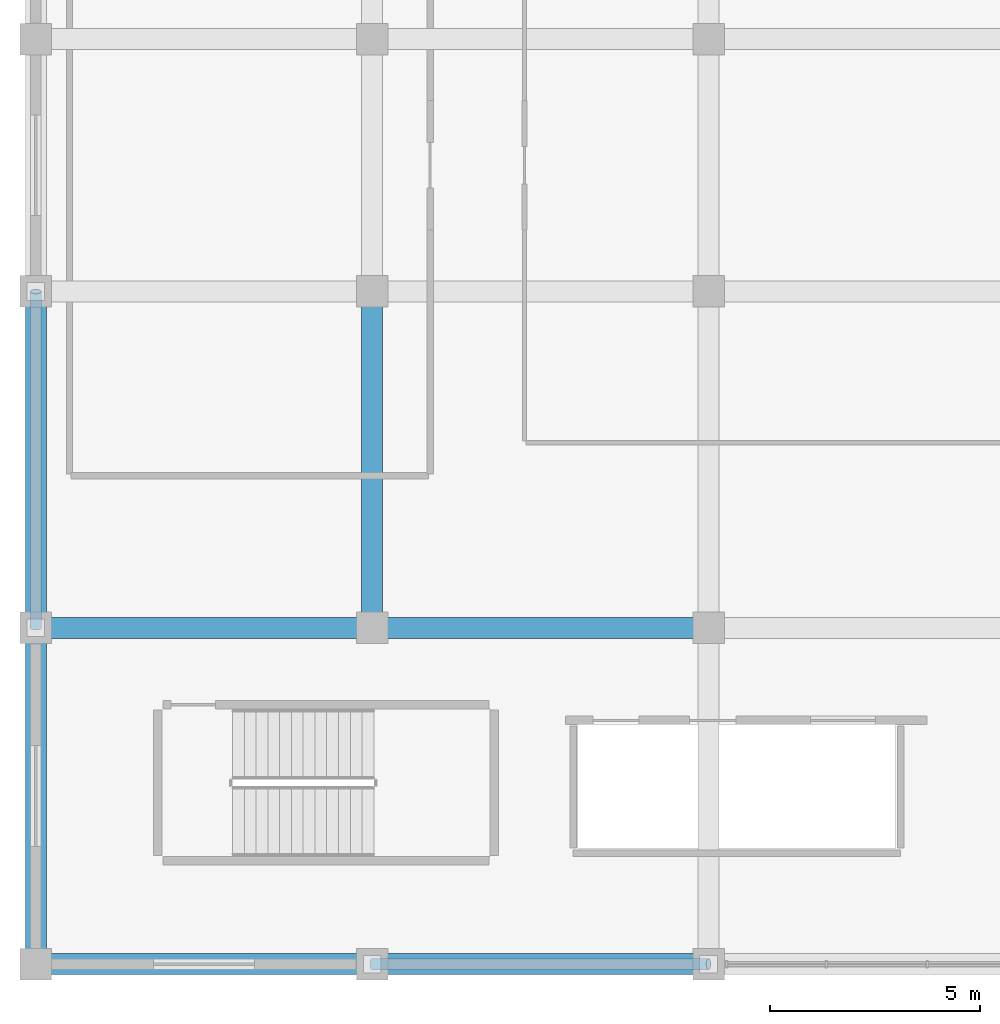
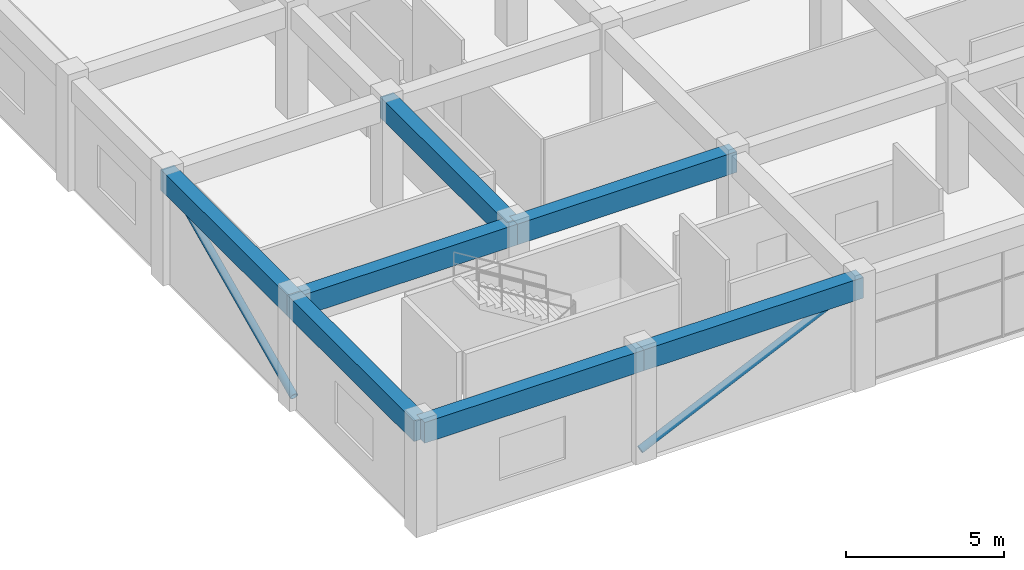
# One storey, part 5 of 55: 7 beams, 2 members.
"""IFC4 building model written with IfcOpenShell, lengths in metres."""

import ifcopenshell
import ifcopenshell.guid

model = None  # the IFC model being written
_history = None  # IfcOwnerHistory: only IFC2X3 demands one
_inside = {}  # id of a spatial element -> (the spatial element, [elements in it])
_under = {}  # id of a project, library or spatial element -> (it, [spatial elements below it])
_declared = {}  # id of a project -> (the project, [libraries it declares])
_typed = {}  # id of a type object -> (the type object, [elements of that type])
_made_of = {}  # id of a material, layer set ... -> (it, [elements and type objects made of it])


def new_model(schema):
    """Start an empty IFC model of exactly this schema.

    Asked for "IFC4X3", IfcOpenShell would pick the latest addendum, in which some entities
    have other attributes; the version numbers below select the first issue.
    IFC2X3 requires an IfcOwnerHistory on every rooted entity: one is made here for all.
    """
    global model, _history
    if schema == "IFC4X3":
        model = ifcopenshell.file(schema_version=(4, 3, 0, 0))
    else:
        model = ifcopenshell.file(schema=schema)
    _inside.clear()
    _under.clear()
    _declared.clear()
    _typed.clear()
    _made_of.clear()
    _history = None
    if model.schema == "IFC2X3":
        org = make("IfcOrganization", Name="unknown")
        user = make(
            "IfcPersonAndOrganization",
            ThePerson=make("IfcPerson", FamilyName="unknown"),
            TheOrganization=org,
        )
        app = make(
            "IfcApplication",
            ApplicationDeveloper=org,
            Version="unknown",
            ApplicationFullName="unknown",
            ApplicationIdentifier="unknown",
        )
        _history = make(
            "IfcOwnerHistory",
            OwningUser=user,
            OwningApplication=app,
            ChangeAction="ADDED",
            CreationDate=0,
        )
    return model


def make(cls, **values):
    """One entity of the class cls with the attributes given. An attribute that is None is left unset."""
    return model.create_entity(
        cls, **{name: value for name, value in values.items() if value is not None}
    )


def rooted(cls, **values):
    """An entity with a GlobalId (a new one), such as an element, a storey or a relation."""
    return make(cls, GlobalId=ifcopenshell.guid.new(), OwnerHistory=_history, **values)


def si_unit(unit_type, name, prefix=None):
    """IfcSIUnit, for example si_unit("LENGTHUNIT", "METRE", prefix="MILLI")."""
    return make("IfcSIUnit", UnitType=unit_type, Prefix=prefix, Name=name)


def assignment(units):
    """IfcUnitAssignment: the units of a project."""
    return None if units is None else make("IfcUnitAssignment", Units=units)


def point(xyz):
    """IfcCartesianPoint."""
    return None if xyz is None else make("IfcCartesianPoint", Coordinates=xyz)


def direction(xyz):
    """IfcDirection."""
    return None if xyz is None else make("IfcDirection", DirectionRatios=xyz)


def frame(location, z_axis=None, x_axis=None):
    """IfcAxis2Placement3D, a coordinate frame: its origin and axes. An axis left out is left unset."""
    return make(
        "IfcAxis2Placement3D",
        Location=point(location),
        Axis=direction(z_axis),
        RefDirection=direction(x_axis),
    )


def frame_2d(location, x_axis=None):
    """IfcAxis2Placement2D, a coordinate frame in the plane: its origin and x axis."""
    return make(
        "IfcAxis2Placement2D", Location=point(location), RefDirection=direction(x_axis)
    )


def origin():
    """The frame at (0, 0, 0) with its axes left unset."""
    return frame((0.0, 0.0, 0.0))


def origin_2d():
    """The frame at (0, 0) in the plane with its x axis left unset."""
    return frame_2d((0.0, 0.0))


def place(relative_to, where):
    """IfcLocalPlacement: puts the frame where relative to a parent placement (None: the world)."""
    return make(
        "IfcLocalPlacement", PlacementRelTo=relative_to, RelativePlacement=where
    )


def context(
    kind, dimensions, precision=None, world=None, true_north=None, identifier=None
):
    """IfcGeometricRepresentationContext, for example the 3D "Model" context."""
    return make(
        "IfcGeometricRepresentationContext",
        ContextIdentifier=identifier,
        ContextType=kind,
        CoordinateSpaceDimension=dimensions,
        Precision=precision,
        WorldCoordinateSystem=world,
        TrueNorth=true_north,
    )


def subcontext(parent, identifier, kind, view, scale=None):
    """IfcGeometricRepresentationSubContext, for example "Body" below "Model"."""
    return make(
        "IfcGeometricRepresentationSubContext",
        ContextIdentifier=identifier,
        ContextType=kind,
        ParentContext=parent,
        TargetScale=scale,
        TargetView=view,
    )


def project(units=None, contexts=None):
    """IfcProject with its units and contexts."""
    return rooted(
        "IfcProject",
        Name="project",
        RepresentationContexts=contexts,
        UnitsInContext=assignment(units),
    )


def spatial(cls, under=None, at=None, **own):
    """A site, building, storey or space (cls), placed at a placement, below another one or the project."""
    s = rooted(cls, ObjectPlacement=at, **own)
    if under is not None:
        _under.setdefault(under.id(), (under, []))[1].append(s)
    return s


def profile(cls, at=None, kind="AREA", **sizes):
    """A parametric profile (cls). Its sizes go by their IFC names, for example OverallWidth=200.0."""
    return make(cls, ProfileType=kind, Position=at, **sizes)


def rectangle(**sizes):
    """IfcRectangleProfileDef."""
    return profile("IfcRectangleProfileDef", **sizes)


def hollow_circle(**sizes):
    """IfcCircleHollowProfileDef."""
    return profile("IfcCircleHollowProfileDef", **sizes)


def extrude(swept, where, along, depth):
    """IfcExtrudedAreaSolid: the profile swept, set in the frame where, extruded along a direction by depth."""
    return make(
        "IfcExtrudedAreaSolid",
        SweptArea=swept,
        Position=where,
        ExtrudedDirection=direction(along),
        Depth=depth,
    )


def shape(context_of_items, identifier, shape_type, items):
    """IfcShapeRepresentation: the items that make up one representation, for example the "Body"."""
    return make(
        "IfcShapeRepresentation",
        ContextOfItems=context_of_items,
        RepresentationIdentifier=identifier,
        RepresentationType=shape_type,
        Items=items,
    )


def material(Name=None, Category=None):
    """IfcMaterial."""
    return make("IfcMaterial", Name=Name, Category=Category)


def material_profile(
    of_material, cross_section, Name=None, Category=None, Priority=None
):
    """IfcMaterialProfile: a cross section and its material."""
    return make(
        "IfcMaterialProfile",
        Name=Name,
        Material=of_material,
        Profile=cross_section,
        Priority=Priority,
        Category=Category,
    )


def profile_set(profiles, Name=None, composite=None):
    """IfcMaterialProfileSet."""
    return make(
        "IfcMaterialProfileSet",
        Name=Name,
        MaterialProfiles=profiles,
        CompositeProfile=composite,
    )


def made_of(thing, what):
    """Note that an element or type object is made of a material, layer set ...; save() writes the relation."""
    if what is not None:
        _made_of.setdefault(what.id(), (what, []))[1].append(thing)
    return thing


def type_object(cls, material=None, **own):
    """A type object (cls), such as IfcWallType, which elements share."""
    return made_of(rooted(cls, **own), material)


def element(
    cls,
    number,
    at=None,
    inside=None,
    cuts=None,
    type_object=None,
    material=None,
    context=None,
    identifier="Body",
    shape_type=None,
    held_by="IfcProductDefinitionShape",
    body=None,
    shapes=None,
    **own,
):
    """One element of the class cls, such as IfcWall. Its Tag is "e" and its number.

    at: its placement. inside: the storey or other place that contains it. cuts: it is an
    opening in that element (IfcRelVoidsElement). A single representation is given by context,
    identifier, shape_type and body (its items); several are given by shapes. held_by: the class
    of the entity that holds the representations. save() writes the other relations.
    """
    e = rooted(cls, Tag="e%d" % number, ObjectPlacement=at, **own)
    if body is not None:
        shapes = [shape(context, identifier, shape_type, body)]
    if shapes is not None:
        e.Representation = make(held_by, Representations=shapes)
    if inside is not None:
        _inside.setdefault(inside.id(), (inside, []))[1].append(e)
    if cuts is not None:
        rooted(
            "IfcRelVoidsElement", RelatingBuildingElement=cuts, RelatedOpeningElement=e
        )
    if type_object is not None:
        _typed.setdefault(type_object.id(), (type_object, []))[1].append(e)
    return made_of(e, material)


def aggregate(whole, parts):
    """IfcRelAggregates: a whole, such as a stair, and the parts it consists of."""
    return rooted("IfcRelAggregates", RelatingObject=whole, RelatedObjects=parts)


def save(model, path):
    """Write the relations noted so far, then the file.

    IfcRelAggregates (storeys below a building ...), IfcRelContainedInSpatialStructure (elements
    in a storey), IfcRelDefinesByType, IfcRelAssociatesMaterial and IfcRelDeclares: one each for
    every whole, place, type object, material and project.
    """
    for whole, parts in _under.values():
        aggregate(whole, parts)
    for where, things in _inside.values():
        rooted(
            "IfcRelContainedInSpatialStructure",
            RelatedElements=things,
            RelatingStructure=where,
        )
    for kind, things in _typed.values():
        rooted("IfcRelDefinesByType", RelatedObjects=things, RelatingType=kind)
    for what, things in _made_of.values():
        rooted("IfcRelAssociatesMaterial", RelatedObjects=things, RelatingMaterial=what)
    for by, libraries in _declared.values():
        rooted("IfcRelDeclares", RelatingContext=by, RelatedDefinitions=libraries)
    model.write(path)


model = new_model("IFC4")

# Units and contexts
model_context = context("Model", 3, precision=1e-05, world=origin(), true_north=direction((0.0, 1.0)))
body_context = subcontext(model_context, "Body", "Model", "MODEL_VIEW")
ifc_project = project(units=[si_unit("LENGTHUNIT", "METRE"), si_unit("AREAUNIT", "SQUARE_METRE"), si_unit("VOLUMEUNIT", "CUBIC_METRE"), si_unit("PLANEANGLEUNIT", "RADIAN"), si_unit("MASSUNIT", "GRAM", prefix="KILO")], contexts=[model_context])

# Site, building, storey
site_placement = place(None, origin())
site = spatial("IfcSite", under=ifc_project, at=site_placement, CompositionType="ELEMENT")
building_placement = place(site_placement, origin())
building = spatial("IfcBuilding", under=site, at=building_placement, Name="Kelanora Arch Commons", CompositionType="ELEMENT")
storey_placement = place(building_placement, frame((0.0, 0.0, 4.5)))
storey = spatial("IfcBuildingStorey", under=building, at=storey_placement, Name="L01", CompositionType="ELEMENT", Elevation=4.5)

# Beams
ifc_material_1 = material(Name="Concrete C40/50", Category="concrete")
ifc_material_profile_1 = material_profile(ifc_material_1, rectangle(XDim=0.5, YDim=0.800048828125, at=origin_2d()), Name="RCB500x800")
ifc_profile_set_1 = profile_set([ifc_material_profile_1], Name="Concrete C40/50")
beam_type = type_object("IfcBeamType", Name="BM-MKT-RC1", PredefinedType="BEAM", material=ifc_profile_set_1)
for number, where, z_axis, x_axis, name in (
    (1, (4.0, 4.0, 3.840087890625), (1.0, 0.0, 0.0), (0.0, 1.0, 0.0), "Market/Basement Frame Beam 001 L01"),
    (2, (4.0, 4.0, 3.840087890625), (0.0, 1.0, 0.0), (-1.0, 0.0, 0.0), "Market/Basement Frame Beam 002 L01"),
    (3, (4.0, 12.0, 3.840087890625), (1.0, 0.0, 0.0), (0.0, 1.0, 0.0), "Market/Basement Frame Beam 003 L01"),
    (4, (4.0, 12.0, 3.840087890625), (0.0, 1.0, 0.0), (-1.0, 0.0, 0.0), "Market/Basement Frame Beam 004 L01"),
    (5, (12.0, 4.0, 3.840087890625), (1.0, 0.0, 0.0), (0.0, 1.0, 0.0), "Market/Basement Frame Beam 021 L01"),
    (6, (12.0, 12.0, 3.840087890625), (1.0, 0.0, 0.0), (0.0, 1.0, 0.0), "Market/Basement Frame Beam 022 L01"),
    (7, (12.0, 12.0, 3.840087890625), (0.0, 1.0, 0.0), (-1.0, 0.0, 0.0), "Market/Basement Frame Beam 023 L01"),
):
    element("IfcBeam", number, at=place(storey_placement, frame(where, z_axis=z_axis, x_axis=x_axis)), inside=storey, type_object=beam_type, Name=name, PredefinedType="BEAM", context=body_context, shape_type="SweptSolid", body=[
        extrude(rectangle(XDim=0.5, YDim=0.800048828125, at=origin_2d()), origin(), (0.0, 0.0, 1.0), 8.0),
    ])

# Members
ifc_material_2 = material(Name="Steel S355", Category="steel")
ifc_material_profile_2 = material_profile(ifc_material_2, hollow_circle(Radius=0.136474609375, WallThickness=0.012451171875, at=origin_2d()), Name="CHS273x12.5")
ifc_profile_set_2 = profile_set([ifc_material_profile_2], Name="Steel S355")
member_type = type_object("IfcMemberType", Name="MEM-MKT-BRACE", PredefinedType="BRACE", material=ifc_profile_set_2)
for number, where, z_axis, x_axis, name in (
    (8, (12.0, 4.0, 0.25), (0.907629151412, 0.0, 0.419772942799), (0.0, 1.0, 0.0), "Market Hall Lateral Brace 01 L01"),
    (9, (4.0, 12.0, 0.25), (0.0, 0.907629151412, 0.419772942799), (-1.0, 0.0, 0.0), "Market Hall Lateral Brace 03 L01"),
):
    element("IfcMember", number, at=place(storey_placement, frame(where, z_axis=z_axis, x_axis=x_axis)), inside=storey, type_object=member_type, Name=name, PredefinedType="BRACE", context=body_context, shape_type="SweptSolid", body=[
        extrude(hollow_circle(Radius=0.136474609375, WallThickness=0.012451171875, at=origin_2d()), origin(), (0.0, 0.0, 1.0), 8.814208984375),
    ])

save(model, "model.ifc")
